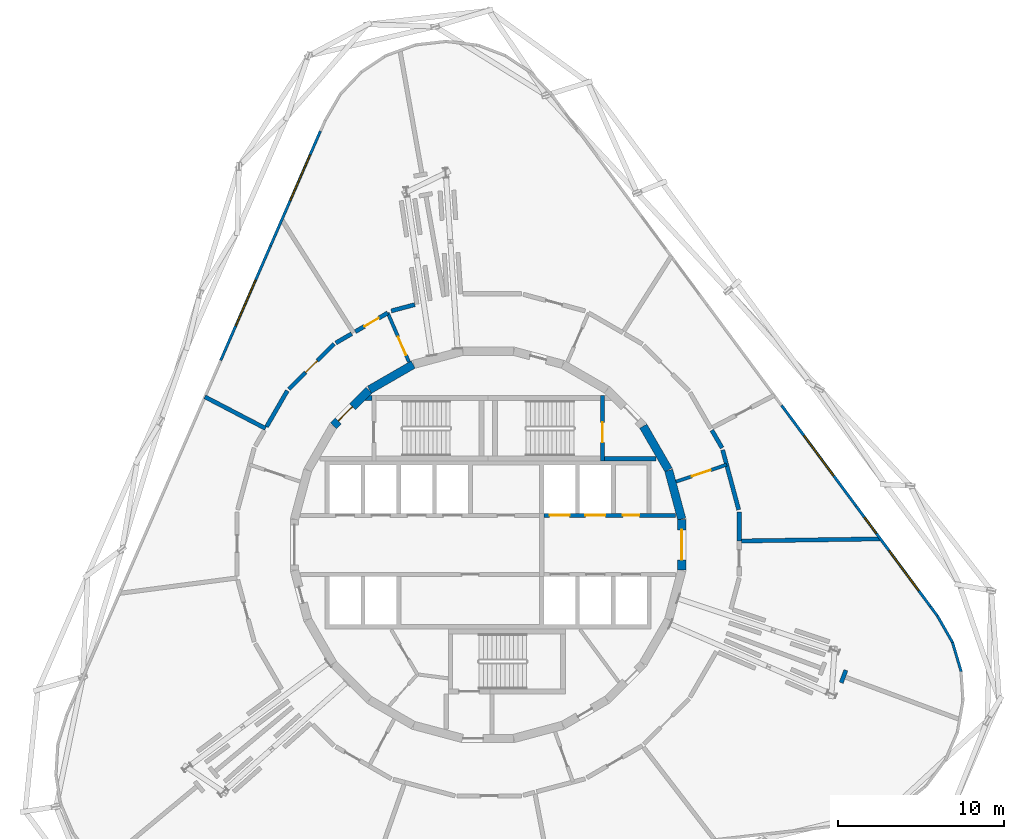
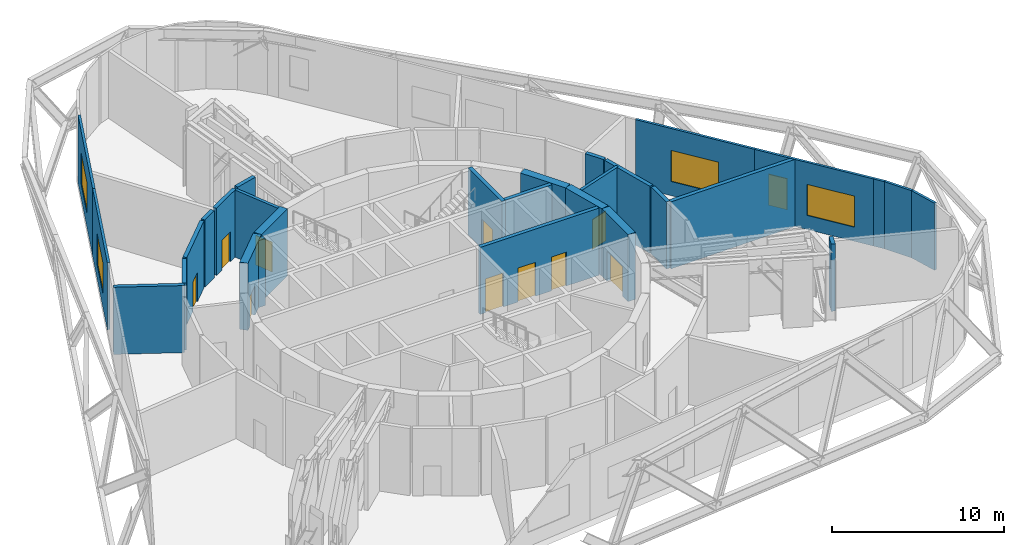
# One storey, part 8 of 11: 29 walls, 10 doors, 5 windows, 15 openings.
"""IFC4 building model written with IfcOpenShell, lengths in metres."""

from ifc_helpers import new_model, si_unit, direction, frame, frame_2d, origin, place, context, subcontext, project, spatial, polyline, rectangle, outline, extrude, material, layer, layer_set, type_object, element, fill, save


model = new_model("IFC4")

# Units and contexts
model_context = context("Model", 3, precision=1e-05, world=origin(), true_north=direction((0.0, 1.0)))
body_context = subcontext(model_context, "Body", "Model", "MODEL_VIEW")
ifc_project = project(units=[si_unit("LENGTHUNIT", "METRE"), si_unit("AREAUNIT", "SQUARE_METRE"), si_unit("VOLUMEUNIT", "CUBIC_METRE"), si_unit("PLANEANGLEUNIT", "RADIAN"), si_unit("MASSUNIT", "GRAM", prefix="KILO")], contexts=[model_context])

# Site, building, storey
site_placement = place(None, origin())
site = spatial("IfcSite", under=ifc_project, at=site_placement, CompositionType="ELEMENT")
building_placement = place(site_placement, origin())
building = spatial("IfcBuilding", under=site, at=building_placement, Name="Spindle Arch Residences", CompositionType="ELEMENT")
storey_placement = place(building_placement, frame((0.0, 0.0, 108.199951171875)))
storey = spatial("IfcBuildingStorey", under=building, at=storey_placement, Name="L26", CompositionType="ELEMENT", Elevation=108.199951171875)

# Wall, opening, door
ifc_material_1 = material(Name="Concrete C50/60", Category="concrete")
ifc_layer_1 = layer(ifc_material_1, 0.5)
ifc_layer_set_1 = layer_set([ifc_layer_1], Name="Core outline wall 500")
wall_type_1 = type_object("IfcWallType", Name="Core outline wall 500", PredefinedType="SHEAR", material=ifc_layer_set_1)
wall_1_placement = place(storey_placement, frame((11.647216796875, -1.516357421875, 0.0), z_axis=(0.0, 0.0, 1.0), x_axis=(0.0, 1.0, 0.0)))
wall_1 = element("IfcWall", 1, at=wall_1_placement, inside=storey, type_object=wall_type_1, Name="Core outline wall 6", PredefinedType="SHEAR", context=body_context, shape_type="SweptSolid", body=[
    extrude(rectangle(XDim=3.03271484375, YDim=0.5, at=frame_2d((1.516357421875, 0.0))), origin(), (0.0, 0.0, 1.0), 4.75),
])
opening_1_placement = place(wall_1_placement, frame((0.6162109375, 0.0, 0.0)))
opening_1 = element("IfcOpeningElement", 2, at=opening_1_placement, cuts=wall_1, Name="Opening L26-FE01", PredefinedType="OPENING", context=body_context, shape_type="SweptSolid", body=[
    extrude(rectangle(XDim=1.800048828125, YDim=2.10009765625, at=frame_2d((0.89990234375, 1.050048828125))), frame((0.0, 0.260009765625, 0.0), z_axis=(0.0, -1.0, 0.0), x_axis=(1.0, 0.0, 0.0)), (0.0, 0.0, 1.0), 0.52001953125),
])
ifc_material_2 = material(Name="Steel, fire-resisting door", Category="steel")
door_type_1 = type_object("IfcDoorType", Name="Fire-lift lobby door 1800x2100", OperationType="DOUBLE_DOOR_SINGLE_SWING", PredefinedType="DOOR", material=ifc_material_2)
door_1_placement = place(opening_1_placement, origin())
door_1 = element("IfcDoor", 3, at=door_1_placement, inside=storey, type_object=door_type_1, Name="Fire-lift lobby door L26-FE01", OperationType="DOUBLE_DOOR_SINGLE_SWING", OverallHeight=2.10009765625, OverallWidth=1.800048828125, PredefinedType="DOOR", context=body_context, shape_type="SweptSolid", body=[
    extrude(rectangle(XDim=1.800048828125, YDim=2.10009765625, at=frame_2d((0.89990234375, 1.050048828125))), frame((0.0, 0.02490234375, 0.0), z_axis=(0.0, -1.0, 0.0), x_axis=(1.0, 0.0, 0.0)), (0.0, 0.0, 1.0), 0.050048828125),
])
fill(opening_1, door_1)

# Walls
for number, where, z_axis, x_axis, name in (
    (4, (11.642822265625, 1.5498046875, 0.0), (0.0, 0.0, 1.0), (-0.258734743916, 0.965948410781, 0.0), "Core outline wall 7"),
    (5, (10.84521484375, 4.510498046875, 0.0), (0.0, 0.0, 1.0), (-0.500087131594, 0.865975092491, 0.0), "Core outline wall 8"),
    (6, (-4.510498046875, 10.84521484375, 0.0), (0.0, 0.0, 1.0), (-0.865975092491, -0.500087131594, 0.0), "Core outline wall 14"),
):
    element("IfcWall", number, at=place(storey_placement, frame(where, z_axis=z_axis, x_axis=x_axis)), inside=storey, type_object=wall_type_1, Name=name, PredefinedType="SHEAR", context=body_context, shape_type="SweptSolid", body=[
        extrude(rectangle(XDim=3.03271484375, YDim=0.5, at=frame_2d((1.516357421875, 0.0))), origin(), (0.0, 0.0, 1.0), 4.75),
    ])

# Wall, opening, door
wall_2_placement = place(storey_placement, frame((-7.163818359375, 9.30810546875, 0.0), z_axis=(0.0, 0.0, 1.0), x_axis=(-0.707106781187, -0.707106781187, 0.0)))
wall_2 = element("IfcWall", 7, at=wall_2_placement, inside=storey, type_object=wall_type_1, Name="Core outline wall 15", PredefinedType="SHEAR", context=body_context, shape_type="SweptSolid", body=[
    extrude(rectangle(XDim=3.032470703125, YDim=0.5, at=frame_2d((1.51611328125, 0.0))), origin(), (0.0, 0.0, 1.0), 4.75),
])
opening_2_placement = place(wall_2_placement, frame((1.416259765625, 0.0, 0.0)))
opening_2 = element("IfcOpeningElement", 8, at=opening_2_placement, cuts=wall_2, Name="Opening L26-AD02", PredefinedType="OPENING", context=body_context, shape_type="SweptSolid", body=[
    extrude(rectangle(XDim=1.199951171875, YDim=2.10009765625, at=frame_2d((0.60009765625, 1.050048828125))), frame((0.0, 0.260009765625, 0.0), z_axis=(0.0, -1.0, 0.0), x_axis=(1.0, 0.0, 0.0)), (0.0, 0.0, 1.0), 0.52001953125),
])
ifc_material_3 = material(Name="Steel, fire-resisting door", Category="steel")
door_type_2 = type_object("IfcDoorType", Name="Stair airlock door 1200x2100", OperationType="SINGLE_SWING_LEFT", PredefinedType="DOOR", material=ifc_material_3)
door_2_placement = place(opening_2_placement, origin())
door_2 = element("IfcDoor", 9, at=door_2_placement, inside=storey, type_object=door_type_2, Name="Stair airlock door L26-AD02", OperationType="SINGLE_SWING_RIGHT", OverallHeight=2.10009765625, OverallWidth=1.199951171875, PredefinedType="DOOR", context=body_context, shape_type="SweptSolid", body=[
    extrude(rectangle(XDim=1.199951171875, YDim=2.10009765625, at=frame_2d((0.60009765625, 1.050048828125))), frame((0.0, 0.02490234375, 0.0), z_axis=(0.0, -1.0, 0.0), x_axis=(1.0, 0.0, 0.0)), (0.0, 0.0, 1.0), 0.050048828125),
])
fill(opening_2, door_2)

# Wall, openings, doors
ifc_material_4 = material(Name="Concrete C40/50", Category="concrete")
ifc_layer_2 = layer(ifc_material_4, 0.25)
ifc_layer_set_2 = layer_set([ifc_layer_2], Name="Fire-lift lobby wall 250")
wall_type_2 = type_object("IfcWallType", Name="Fire-lift lobby wall 250", PredefinedType="SHEAR", material=ifc_layer_set_2)
wall_3_placement = place(storey_placement, frame((3.35009765625, 1.77490234375, 0.0), z_axis=(0.0, 0.0, 1.0), x_axis=(1.0, 0.0, 0.0)))
wall_3 = element("IfcWall", 10, at=wall_3_placement, inside=storey, type_object=wall_type_2, Name="Lift shaft front wall NE", PredefinedType="SHEAR", context=body_context, shape_type="SweptSolid", body=[
    extrude(rectangle(XDim=7.929931640625, YDim=0.25, at=frame_2d((3.96484375, 0.0))), origin(), (0.0, 0.0, 1.0), 4.75),
])
opening_3_placement = place(wall_3_placement, frame((0.35009765625, 0.0, 0.0)))
opening_3 = element("IfcOpeningElement", 11, at=opening_3_placement, cuts=wall_3, Name="Opening L26-SLD01", PredefinedType="OPENING", context=body_context, shape_type="SweptSolid", body=[
    extrude(rectangle(XDim=1.199951171875, YDim=2.39990234375, at=frame_2d((0.60009765625, 1.199951171875))), frame((0.0, 0.135009765625, 0.0), z_axis=(0.0, -1.0, 0.0), x_axis=(1.0, 0.0, 0.0)), (0.0, 0.0, 1.0), 0.27001953125),
])
opening_4_placement = place(wall_3_placement, frame((2.5, 0.0, 0.0)))
opening_4 = element("IfcOpeningElement", 12, at=opening_4_placement, cuts=wall_3, Name="Opening L26-SLD02", PredefinedType="OPENING", context=body_context, shape_type="SweptSolid", body=[
    extrude(rectangle(XDim=1.199951171875, YDim=2.39990234375, at=frame_2d((0.60009765625, 1.199951171875))), frame((0.0, 0.135009765625, 0.0), z_axis=(0.0, -1.0, 0.0), x_axis=(1.0, 0.0, 0.0)), (0.0, 0.0, 1.0), 0.27001953125),
])
opening_5_placement = place(wall_3_placement, frame((4.75, 0.0, 0.0)))
opening_5 = element("IfcOpeningElement", 13, at=opening_5_placement, cuts=wall_3, Name="Opening L26-PD02", PredefinedType="OPENING", context=body_context, shape_type="SweptSolid", body=[
    extrude(rectangle(XDim=1.0, YDim=2.39990234375, at=frame_2d((0.5, 1.199951171875))), frame((0.0, 0.135009765625, 0.0), z_axis=(0.0, -1.0, 0.0), x_axis=(1.0, 0.0, 0.0)), (0.0, 0.0, 1.0), 0.27001953125),
])
ifc_material_5 = material(Name="Steel, fire-resisting door", Category="steel")
door_type_3 = type_object("IfcDoorType", Name="Plant room door 1000x2400", OperationType="SINGLE_SWING_LEFT", PredefinedType="DOOR", material=ifc_material_5)
door_3_placement = place(opening_5_placement, origin())
door_3 = element("IfcDoor", 14, at=door_3_placement, inside=storey, type_object=door_type_3, Name="Plant room door L26-PD02", OperationType="SINGLE_SWING_LEFT", OverallHeight=2.39990234375, OverallWidth=1.0, PredefinedType="DOOR", context=body_context, shape_type="SweptSolid", body=[
    extrude(rectangle(XDim=1.0, YDim=2.39990234375, at=frame_2d((0.5, 1.199951171875))), frame((0.0, 0.02490234375, 0.0), z_axis=(0.0, -1.0, 0.0), x_axis=(1.0, 0.0, 0.0)), (0.0, 0.0, 1.0), 0.050048828125),
])
fill(opening_5, door_3)
ifc_material_6 = material(Name="Steel, fire-resisting landing door", Category="steel")
door_type_4 = type_object("IfcDoorType", Name="Service lift landing door 1200x2400", OperationType="DOUBLE_DOOR_SLIDING", PredefinedType="DOOR", material=ifc_material_6)
door_4_placement = place(opening_3_placement, origin())
door_4 = element("IfcDoor", 15, at=door_4_placement, inside=storey, type_object=door_type_4, Name="Service lift landing door L26-SLD01", OperationType="DOUBLE_DOOR_SLIDING", OverallHeight=2.39990234375, OverallWidth=1.199951171875, PredefinedType="DOOR", context=body_context, shape_type="SweptSolid", body=[
    extrude(rectangle(XDim=1.199951171875, YDim=2.39990234375, at=frame_2d((0.60009765625, 1.199951171875))), frame((0.0, 0.02490234375, 0.0), z_axis=(0.0, -1.0, 0.0), x_axis=(1.0, 0.0, 0.0)), (0.0, 0.0, 1.0), 0.050048828125),
])
fill(opening_3, door_4)
door_5_placement = place(opening_4_placement, origin())
door_5 = element("IfcDoor", 16, at=door_5_placement, inside=storey, type_object=door_type_4, Name="Service lift landing door L26-SLD02", OperationType="DOUBLE_DOOR_SLIDING", OverallHeight=2.39990234375, OverallWidth=1.199951171875, PredefinedType="DOOR", context=body_context, shape_type="SweptSolid", body=[
    extrude(rectangle(XDim=1.199951171875, YDim=2.39990234375, at=frame_2d((0.60009765625, 1.199951171875))), frame((0.0, 0.02490234375, 0.0), z_axis=(0.0, -1.0, 0.0), x_axis=(1.0, 0.0, 0.0)), (0.0, 0.0, 1.0), 0.050048828125),
])
fill(opening_4, door_5)

# Walls
ifc_material_7 = material(Name="Non-combustible mineral wool insulated aluminium faced external wall (K0)", Category="aluminium")
ifc_layer_3 = layer(ifc_material_7, 0.159912109375)
ifc_layer_set_3 = layer_set([ifc_layer_3], Name="Insulated external wall panel 160")
wall_type_3 = type_object("IfcWallType", Name="Insulated external wall panel 160", PredefinedType="STANDARD", material=ifc_layer_set_3)
wall_4_placement = place(storey_placement, frame((28.452392578125, -7.62939453125, 0.0), z_axis=(0.0, 0.0, 1.0), x_axis=(-0.283939871405, 0.958842087847, 0.0)))
element("IfcWall", 17, at=wall_4_placement, inside=storey, type_object=wall_type_3, Name="Plant wall L26 bay 5.2", PredefinedType="STANDARD", context=body_context, shape_type="SweptSolid", body=[
    extrude(rectangle(XDim=1.847900390625, YDim=0.159912109375, at=frame_2d((0.923828125, 0.0))), origin(), (0.0, 0.0, 1.0), 4.75),
])
wall_5_placement = place(storey_placement, frame((27.931396484375, -5.8662109375, 0.0), z_axis=(0.0, 0.0, 1.0), x_axis=(-0.497534070267, 0.867444435641, 0.0)))
element("IfcWall", 18, at=wall_5_placement, inside=storey, type_object=wall_type_3, Name="Plant wall L26 bay 5.3", PredefinedType="STANDARD", context=body_context, shape_type="SweptSolid", body=[
    extrude(rectangle(XDim=1.845947265625, YDim=0.159912109375, at=frame_2d((0.9228515625, 0.0))), origin(), (0.0, 0.0, 1.0), 4.75),
])
wall_6_placement = place(storey_placement, frame((27.015625, -4.268798828125, 0.0), z_axis=(0.0, 0.0, 1.0), x_axis=(-0.594771293471, 0.803894961088, 0.0)))
element("IfcWall", 19, at=wall_6_placement, inside=storey, type_object=wall_type_3, Name="Plant wall L26 bay 5.4", PredefinedType="STANDARD", context=body_context, shape_type="SweptSolid", body=[
    extrude(rectangle(XDim=0.703857421875, YDim=0.159912109375, at=frame_2d((0.35205078125, 0.0))), origin(), (0.0, 0.0, 1.0), 4.75),
])

# Wall, openings, windows
wall_7_placement = place(storey_placement, frame((26.596923828125, -3.702880859375, 0.0), z_axis=(0.0, 0.0, 1.0), x_axis=(-0.594833773541, 0.803848730704, 0.0)))
wall_7 = element("IfcWall", 20, at=wall_7_placement, inside=storey, type_object=wall_type_3, Name="Plant wall L26 bay 6", PredefinedType="STANDARD", context=body_context, shape_type="SweptSolid", body=[
    extrude(rectangle(XDim=7.518798828125, YDim=0.159912109375, at=frame_2d((3.75927734375, 0.0))), origin(), (0.0, 0.0, 1.0), 4.75),
])
opening_6_placement = place(wall_7_placement, frame((1.177978515625, 0.0, 1.0)))
opening_6 = element("IfcOpeningElement", 21, at=opening_6_placement, cuts=wall_7, Name="Opening LW1", PredefinedType="OPENING", context=body_context, shape_type="SweptSolid", body=[
    extrude(rectangle(XDim=3.0, YDim=2.199951171875, at=frame_2d((1.5, 1.10009765625))), frame((0.0, 0.08984375, 0.0), z_axis=(0.0, -1.0, 0.0), x_axis=(1.0, 0.0, 0.0)), (0.0, 0.0, 1.0), 0.179931640625),
])
opening_7_placement = place(wall_7_placement, frame((5.46240234375, 0.0, 1.0)))
opening_7 = element("IfcOpeningElement", 22, at=opening_7_placement, cuts=wall_7, Name="Opening LW4", PredefinedType="OPENING", context=body_context, shape_type="SweptSolid", body=[
    extrude(rectangle(XDim=1.199951171875, YDim=2.199951171875, at=frame_2d((0.60009765625, 1.10009765625))), frame((0.0, 0.08984375, 0.0), z_axis=(0.0, -1.0, 0.0), x_axis=(1.0, 0.0, 0.0)), (0.0, 0.0, 1.0), 0.179931640625),
])
ifc_material_8 = material(Name="Bronze anodised aluminium fixed louvre", Category="aluminium")
window_type_1 = type_object("IfcWindowType", Name="Plant louvre opening 1200x2200", PartitioningType="SINGLE_PANEL", PredefinedType="WINDOW", material=ifc_material_8)
window_1_placement = place(opening_7_placement, origin())
window_1 = element("IfcWindow", 23, at=window_1_placement, inside=storey, type_object=window_type_1, Name="Louvre opening L26 bay 6.2", OverallHeight=2.199951171875, OverallWidth=1.199951171875, PartitioningType="SINGLE_PANEL", PredefinedType="WINDOW", context=body_context, shape_type="SweptSolid", body=[
    extrude(rectangle(XDim=1.199951171875, YDim=2.199951171875, at=frame_2d((0.60009765625, 1.10009765625))), frame((0.0, 0.030029296875, 0.0), z_axis=(0.0, -1.0, 0.0), x_axis=(1.0, 0.0, 0.0)), (0.0, 0.0, 1.0), 0.06005859375),
])
fill(opening_7, window_1)
ifc_material_9 = material(Name="Bronze anodised aluminium fixed louvre", Category="aluminium")
window_type_2 = type_object("IfcWindowType", Name="Plant louvre opening 3000x2200", PartitioningType="SINGLE_PANEL", PredefinedType="WINDOW", material=ifc_material_9)
window_2_placement = place(opening_6_placement, origin())
window_2 = element("IfcWindow", 24, at=window_2_placement, inside=storey, type_object=window_type_2, Name="Louvre opening L26 bay 6.1", OverallHeight=2.199951171875, OverallWidth=3.0, PartitioningType="SINGLE_PANEL", PredefinedType="WINDOW", context=body_context, shape_type="SweptSolid", body=[
    extrude(rectangle(XDim=3.0, YDim=2.199951171875, at=frame_2d((1.5, 1.10009765625))), frame((0.0, 0.030029296875, 0.0), z_axis=(0.0, -1.0, 0.0), x_axis=(1.0, 0.0, 0.0)), (0.0, 0.0, 1.0), 0.06005859375),
])
fill(opening_6, window_2)

# Wall, opening, window
wall_8_placement = place(storey_placement, frame((22.12451171875, 2.341064453125, 0.0), z_axis=(0.0, 0.0, 1.0), x_axis=(-0.594818247684, 0.80386021933, 0.0)))
wall_8 = element("IfcWall", 25, at=wall_8_placement, inside=storey, type_object=wall_type_3, Name="Plant wall L26 bay 7", PredefinedType="STANDARD", context=body_context, shape_type="SweptSolid", body=[
    extrude(rectangle(XDim=7.51904296875, YDim=0.159912109375, at=frame_2d((3.759521484375, 0.0))), origin(), (0.0, 0.0, 1.0), 4.75),
])
opening_8_placement = place(wall_8_placement, frame((2.259521484375, 0.0, 1.0)))
opening_8 = element("IfcOpeningElement", 26, at=opening_8_placement, cuts=wall_8, Name="Opening LW1", PredefinedType="OPENING", context=body_context, shape_type="SweptSolid", body=[
    extrude(rectangle(XDim=3.0, YDim=2.199951171875, at=frame_2d((1.5, 1.10009765625))), frame((0.0, 0.08984375, 0.0), z_axis=(0.0, -1.0, 0.0), x_axis=(1.0, 0.0, 0.0)), (0.0, 0.0, 1.0), 0.179931640625),
])
window_3_placement = place(opening_8_placement, origin())
window_3 = element("IfcWindow", 27, at=window_3_placement, inside=storey, type_object=window_type_2, Name="Louvre opening L26 bay 7.1", OverallHeight=2.199951171875, OverallWidth=3.0, PartitioningType="SINGLE_PANEL", PredefinedType="WINDOW", context=body_context, shape_type="SweptSolid", body=[
    extrude(rectangle(XDim=3.0, YDim=2.199951171875, at=frame_2d((1.5, 1.10009765625))), frame((0.0, 0.030029296875, 0.0), z_axis=(0.0, -1.0, 0.0), x_axis=(1.0, 0.0, 0.0)), (0.0, 0.0, 1.0), 0.06005859375),
])
fill(opening_8, window_3)

wall_9_placement = place(storey_placement, frame((-10.091552734375, 24.885009765625, 0.0), z_axis=(0.0, 0.0, 1.0), x_axis=(-0.398765291981, -0.917053020229, 0.0)))
wall_9 = element("IfcWall", 28, at=wall_9_placement, inside=storey, type_object=wall_type_3, Name="Plant wall L26 bay 14", PredefinedType="STANDARD", context=body_context, shape_type="SweptSolid", body=[
    extrude(rectangle(XDim=7.51904296875, YDim=0.159912109375, at=frame_2d((3.759521484375, 0.0))), origin(), (0.0, 0.0, 1.0), 4.75),
])
opening_9_placement = place(wall_9_placement, frame((1.55810546875, 0.0, 1.0)))
opening_9 = element("IfcOpeningElement", 29, at=opening_9_placement, cuts=wall_9, Name="Opening LW1", PredefinedType="OPENING", context=body_context, shape_type="SweptSolid", body=[
    extrude(rectangle(XDim=3.0, YDim=2.199951171875, at=frame_2d((1.5, 1.10009765625))), frame((0.0, 0.08984375, 0.0), z_axis=(0.0, -1.0, 0.0), x_axis=(1.0, 0.0, 0.0)), (0.0, 0.0, 1.0), 0.179931640625),
])
window_4_placement = place(opening_9_placement, origin())
window_4 = element("IfcWindow", 30, at=window_4_placement, inside=storey, type_object=window_type_2, Name="Louvre opening L26 bay 14.1", OverallHeight=2.199951171875, OverallWidth=3.0, PartitioningType="SINGLE_PANEL", PredefinedType="WINDOW", context=body_context, shape_type="SweptSolid", body=[
    extrude(rectangle(XDim=3.0, YDim=2.199951171875, at=frame_2d((1.5, 1.10009765625))), frame((0.0, 0.030029296875, 0.0), z_axis=(0.0, -1.0, 0.0), x_axis=(1.0, 0.0, 0.0)), (0.0, 0.0, 1.0), 0.06005859375),
])
fill(opening_9, window_4)

wall_10_placement = place(storey_placement, frame((-13.08984375, 17.98974609375, 0.0), z_axis=(0.0, 0.0, 1.0), x_axis=(-0.398749858314, -0.917059731149, 0.0)))
wall_10 = element("IfcWall", 31, at=wall_10_placement, inside=storey, type_object=wall_type_3, Name="Plant wall L26 bay 15", PredefinedType="STANDARD", context=body_context, shape_type="SweptSolid", body=[
    extrude(rectangle(XDim=7.5185546875, YDim=0.159912109375, at=frame_2d((3.75927734375, 0.0))), origin(), (0.0, 0.0, 1.0), 4.75),
])
opening_10_placement = place(wall_10_placement, frame((2.259521484375, 0.0, 1.0)))
opening_10 = element("IfcOpeningElement", 32, at=opening_10_placement, cuts=wall_10, Name="Opening LW1", PredefinedType="OPENING", context=body_context, shape_type="SweptSolid", body=[
    extrude(rectangle(XDim=3.0, YDim=2.199951171875, at=frame_2d((1.5, 1.10009765625))), frame((0.0, 0.08984375, 0.0), z_axis=(0.0, -1.0, 0.0), x_axis=(1.0, 0.0, 0.0)), (0.0, 0.0, 1.0), 0.179931640625),
])
window_5_placement = place(opening_10_placement, origin())
window_5 = element("IfcWindow", 33, at=window_5_placement, inside=storey, type_object=window_type_2, Name="Louvre opening L26 bay 15.1", OverallHeight=2.199951171875, OverallWidth=3.0, PartitioningType="SINGLE_PANEL", PredefinedType="WINDOW", context=body_context, shape_type="SweptSolid", body=[
    extrude(rectangle(XDim=3.0, YDim=2.199951171875, at=frame_2d((1.5, 1.10009765625))), frame((0.0, 0.030029296875, 0.0), z_axis=(0.0, -1.0, 0.0), x_axis=(1.0, 0.0, 0.0)), (0.0, 0.0, 1.0), 0.06005859375),
])
fill(opening_10, window_5)

# Wall, opening, door
ifc_material_10 = material(Name="Concrete C25/30 wall", Category="concrete")
ifc_layer_4 = layer(ifc_material_10, 0.25)
ifc_layer_set_4 = layer_set([ifc_layer_4], Name="Partition EI 120 250 plant")
wall_type_4 = type_object("IfcWallType", Name="Partition EI 120 250 plant", PredefinedType="PARTITIONING", material=ifc_layer_set_4)
wall_11_placement = place(storey_placement, frame((-7.99169921875, 12.822509765625, 0.0), z_axis=(0.0, 0.0, 1.0), x_axis=(0.865900522319, 0.500216238688, 0.0)))
wall_11 = element("IfcWall", 34, at=wall_11_placement, inside=storey, type_object=wall_type_4, Name="L26-W025", PredefinedType="PARTITIONING", context=body_context, shape_type="SweptSolid", body=[
    extrude(rectangle(XDim=2.25390625, YDim=0.25, at=frame_2d((1.126953125, 0.0))), origin(), (0.0, 0.0, 1.0), 4.75),
])
opening_11_placement = place(wall_11_placement, frame((0.626953125, 0.0, 0.0)))
opening_11 = element("IfcOpeningElement", 35, at=opening_11_placement, cuts=wall_11, Name="Opening L26-D11", PredefinedType="OPENING", context=body_context, shape_type="SweptSolid", body=[
    extrude(rectangle(XDim=1.0, YDim=2.10009765625, at=frame_2d((0.5, 1.050048828125))), frame((0.0, 0.135009765625, 0.0), z_axis=(0.0, -1.0, 0.0), x_axis=(1.0, 0.0, 0.0)), (0.0, 0.0, 1.0), 0.27001953125),
])
ifc_material_11 = material(Name="Steel door leaf, painted", Category="steel")
door_type_5 = type_object("IfcDoorType", Name="Door 1000x2100 EI 60", OperationType="SINGLE_SWING_LEFT", PredefinedType="DOOR", material=ifc_material_11)
door_6_placement = place(opening_11_placement, origin())
door_6 = element("IfcDoor", 36, at=door_6_placement, inside=storey, type_object=door_type_5, Name="L26-D11", OperationType="SINGLE_SWING_LEFT", OverallHeight=2.10009765625, OverallWidth=1.0, PredefinedType="DOOR", context=body_context, shape_type="SweptSolid", body=[
    extrude(rectangle(XDim=1.0, YDim=2.10009765625, at=frame_2d((0.5, 1.050048828125))), frame((0.0, 0.02490234375, 0.0), z_axis=(0.0, -1.0, 0.0), x_axis=(1.0, 0.0, 0.0)), (0.0, 0.0, 1.0), 0.050048828125),
])
fill(opening_11, door_6)

# Walls
wall_12_placement = place(storey_placement, frame((-4.410888671875, 14.44775390625, 0.0), z_axis=(0.0, 0.0, 1.0), x_axis=(-0.966364499744, -0.257176308464, 0.0)))
element("IfcWall", 37, at=wall_12_placement, inside=storey, type_object=wall_type_4, Name="L26-W034", PredefinedType="PARTITIONING", context=body_context, shape_type="SweptSolid", body=[
    extrude(rectangle(XDim=1.468505859375, YDim=0.25, at=frame_2d((0.734375, 0.0))), origin(), (0.0, 0.0, 1.0), 4.75),
])
wall_13_placement = place(storey_placement, frame((14.070068359375, 5.830078125, 0.0), z_axis=(0.0, 0.0, 1.0), x_axis=(-0.502547897079, 0.864549368828, 0.0)))
element("IfcWall", 38, at=wall_13_placement, inside=storey, type_object=wall_type_4, Name="L26-W061", PredefinedType="PARTITIONING", context=body_context, shape_type="SweptSolid", body=[
    extrude(rectangle(XDim=1.22802734375, YDim=0.25, at=frame_2d((0.614013671875, 0.0))), origin(), (0.0, 0.0, 1.0), 4.75),
])
wall_14_placement = place(storey_placement, frame((15.10009765625, 0.22998046875, 0.0), z_axis=(0.0, 0.0, 1.0), x_axis=(0.0, 1.0, 0.0)))
element("IfcWall", 39, at=wall_14_placement, inside=storey, type_object=wall_type_4, Name="L26-W067", PredefinedType="PARTITIONING", context=body_context, shape_type="SweptSolid", body=[
    extrude(rectangle(XDim=1.760009765625, YDim=0.25, at=frame_2d((0.8798828125, 0.0))), origin(), (0.0, 0.0, 1.0), 4.75),
])
wall_15_placement = place(storey_placement, frame((15.22509765625, 0.23193359375, 0.0), z_axis=(0.0, 0.0, 1.0), x_axis=(0.99988540254, 0.015138751181, 0.0)))
element("IfcWall", 40, at=wall_15_placement, inside=storey, type_object=wall_type_4, Name="L26-W068", PredefinedType="PARTITIONING", context=body_context, shape_type="SweptSolid", body=[
    extrude(rectangle(XDim=8.385986328125, YDim=0.25, at=frame_2d((4.19287109375, 0.0))), origin(), (0.0, 0.0, 1.0), 4.75),
])
wall_16_placement = place(storey_placement, frame((15.067626953125, 2.11083984375, 0.0), z_axis=(0.0, 0.0, 1.0), x_axis=(-0.259106201401, 0.965848837239, 0.0)))
element("IfcWall", 41, at=wall_16_placement, inside=storey, type_object=wall_type_4, Name="L26-W069", PredefinedType="PARTITIONING", context=body_context, shape_type="SweptSolid", body=[
    extrude(rectangle(XDim=3.7255859375, YDim=0.25, at=frame_2d((1.86279296875, 0.0))), origin(), (0.0, 0.0, 1.0), 4.75),
])
wall_17_placement = place(storey_placement, frame((21.51318359375, -7.54150390625, 0.0), z_axis=(0.0, 0.0, 1.0), x_axis=(-0.346906900023, -0.937899569632, 0.0)))
element("IfcWall", 42, at=wall_17_placement, inside=storey, type_object=wall_type_4, Name="L26-W083", PredefinedType="PARTITIONING", context=body_context, shape_type="SweptSolid", body=[
    extrude(rectangle(XDim=0.80029296875, YDim=0.25, at=frame_2d((0.400146484375, 0.0))), origin(), (0.0, 0.0, 1.0), 4.75),
])

# Wall, opening, door
ifc_material_12 = material(Name="Gypsum board partition on steel studs", Category="steel")
ifc_layer_5 = layer(ifc_material_12, 0.199951171875)
ifc_layer_set_5 = layer_set([ifc_layer_5], Name="Partition EI 60 200 amenity")
wall_type_5 = type_object("IfcWallType", Name="Partition EI 60 200 amenity", PredefinedType="PARTITIONING", material=ifc_layer_set_5)
wall_18_placement = place(storey_placement, frame((-6.03955078125, 13.948974609375, 0.0), z_axis=(0.0, 0.0, 1.0), x_axis=(0.396905977672, -0.917859272922, 0.0)))
wall_18 = element("IfcWall", 43, at=wall_18_placement, inside=storey, type_object=wall_type_5, Name="L26-W028", PredefinedType="PARTITIONING", context=body_context, shape_type="SweptSolid", body=[
    extrude(rectangle(XDim=3.223876953125, YDim=0.199951171875, at=frame_2d((1.61181640625, 0.0))), origin(), (0.0, 0.0, 1.0), 4.75),
])
opening_12_placement = place(wall_18_placement, frame((1.56201171875, 0.0, 0.0)))
opening_12 = element("IfcOpeningElement", 44, at=opening_12_placement, cuts=wall_18, Name="Opening L26-D15", PredefinedType="OPENING", context=body_context, shape_type="SweptSolid", body=[
    extrude(rectangle(XDim=1.199951171875, YDim=2.10009765625, at=frame_2d((0.60009765625, 1.050048828125))), frame((0.0, 0.10986328125, 0.0), z_axis=(0.0, -1.0, 0.0), x_axis=(1.0, 0.0, 0.0)), (0.0, 0.0, 1.0), 0.219970703125),
])
ifc_material_13 = material(Name="Steel door leaf, painted", Category="steel")
door_type_6 = type_object("IfcDoorType", Name="Door 1200x2100 EI 60", OperationType="SINGLE_SWING_LEFT", PredefinedType="DOOR", material=ifc_material_13)
door_7_placement = place(opening_12_placement, origin())
door_7 = element("IfcDoor", 45, at=door_7_placement, inside=storey, type_object=door_type_6, Name="L26-D15", OperationType="SINGLE_SWING_LEFT", OverallHeight=2.10009765625, OverallWidth=1.199951171875, PredefinedType="DOOR", context=body_context, shape_type="SweptSolid", body=[
    extrude(rectangle(XDim=1.199951171875, YDim=2.10009765625, at=frame_2d((0.60009765625, 1.050048828125))), frame((0.0, 0.02490234375, 0.0), z_axis=(0.0, -1.0, 0.0), x_axis=(1.0, 0.0, 0.0)), (0.0, 0.0, 1.0), 0.050048828125),
])
fill(opening_12, door_7)

wall_19_placement = place(storey_placement, frame((14.340087890625, 4.820068359375, 0.0), z_axis=(0.0, 0.0, 1.0), x_axis=(-0.94805712629, -0.318100118345, 0.0)))
wall_19 = element("IfcWall", 46, at=wall_19_placement, inside=storey, type_object=wall_type_5, Name="L26-W063", PredefinedType="PARTITIONING", context=body_context, shape_type="SweptSolid", body=[
    extrude(rectangle(XDim=3.20654296875, YDim=0.199951171875, at=frame_2d((1.603271484375, 0.0))), origin(), (0.0, 0.0, 1.0), 4.75),
])
opening_13_placement = place(wall_19_placement, frame((1.00341796875, 0.0, 0.0)))
opening_13 = element("IfcOpeningElement", 47, at=opening_13_placement, cuts=wall_19, Name="Opening L26-D18", PredefinedType="OPENING", context=body_context, shape_type="SweptSolid", body=[
    extrude(rectangle(XDim=1.199951171875, YDim=2.10009765625, at=frame_2d((0.60009765625, 1.050048828125))), frame((0.0, 0.10986328125, 0.0), z_axis=(0.0, -1.0, 0.0), x_axis=(1.0, 0.0, 0.0)), (0.0, 0.0, 1.0), 0.219970703125),
])
door_8_placement = place(opening_13_placement, origin())
door_8 = element("IfcDoor", 48, at=door_8_placement, inside=storey, type_object=door_type_6, Name="L26-D18", OperationType="SINGLE_SWING_LEFT", OverallHeight=2.10009765625, OverallWidth=1.199951171875, PredefinedType="DOOR", context=body_context, shape_type="SweptSolid", body=[
    extrude(rectangle(XDim=1.199951171875, YDim=2.10009765625, at=frame_2d((0.60009765625, 1.050048828125))), frame((0.0, 0.02490234375, 0.0), z_axis=(0.0, -1.0, 0.0), x_axis=(1.0, 0.0, 0.0)), (0.0, 0.0, 1.0), 0.050048828125),
])
fill(opening_13, door_8)

# Walls
ifc_material_14 = material(Name="Concrete C25/30 wall", Category="concrete")
ifc_layer_6 = layer(ifc_material_14, 0.25)
ifc_layer_set_6 = layer_set([ifc_layer_6], Name="Partition REI 120 250 refuge")
wall_type_6 = type_object("IfcWallType", Name="Partition REI 120 250 refuge", PredefinedType="PARTITIONING", material=ifc_layer_set_6)
wall_20_placement = place(storey_placement, frame((-13.389892578125, 7.0, 0.0), z_axis=(0.0, 0.0, 1.0), x_axis=(-0.886668392091, 0.462405841731, 0.0)))
element("IfcWall", 49, at=wall_20_placement, inside=storey, type_object=wall_type_6, Name="L26-W012", PredefinedType="PARTITIONING", context=body_context, shape_type="SweptSolid", body=[
    extrude(rectangle(XDim=4.115478515625, YDim=0.25, at=frame_2d((2.0576171875, 0.0))), origin(), (0.0, 0.0, 1.0), 4.75),
])
wall_21_placement = place(storey_placement, frame((-12.080078125, 9.27001953125, 0.0), z_axis=(0.0, 0.0, 1.0), x_axis=(-0.499821239653, -0.866128586522, 0.0)))
element("IfcWall", 50, at=wall_21_placement, inside=storey, type_object=wall_type_6, Name="L26-W016", PredefinedType="PARTITIONING", context=body_context, shape_type="SweptSolid", body=[
    extrude(rectangle(XDim=2.49609375, YDim=0.25, at=frame_2d((1.248046875, 0.0))), origin(), (0.0, 0.0, 1.0), 4.75),
])

# Wall, opening, door
wall_22_placement = place(storey_placement, frame((-9.27001953125, 12.080078125, 0.0), z_axis=(0.0, 0.0, 1.0), x_axis=(-0.707106781187, -0.707106781187, 0.0)))
wall_22 = element("IfcWall", 51, at=wall_22_placement, inside=storey, type_object=wall_type_6, Name="L26-W022", PredefinedType="PARTITIONING", context=body_context, shape_type="SweptSolid", body=[
    extrude(rectangle(XDim=3.84912109375, YDim=0.25, at=frame_2d((1.924560546875, 0.0))), origin(), (0.0, 0.0, 1.0), 4.75),
])
opening_14_placement = place(wall_22_placement, frame((1.424560546875, 0.0, 0.0)))
opening_14 = element("IfcOpeningElement", 52, at=opening_14_placement, cuts=wall_22, Name="Opening L26-D10", PredefinedType="OPENING", context=body_context, shape_type="SweptSolid", body=[
    extrude(rectangle(XDim=1.0, YDim=2.10009765625, at=frame_2d((0.5, 1.050048828125))), frame((0.0, 0.135009765625, 0.0), z_axis=(0.0, -1.0, 0.0), x_axis=(1.0, 0.0, 0.0)), (0.0, 0.0, 1.0), 0.27001953125),
])
door_9_placement = place(opening_14_placement, origin())
door_9 = element("IfcDoor", 53, at=door_9_placement, inside=storey, type_object=door_type_5, Name="L26-D10", OperationType="SINGLE_SWING_LEFT", OverallHeight=2.10009765625, OverallWidth=1.0, PredefinedType="DOOR", context=body_context, shape_type="SweptSolid", body=[
    extrude(rectangle(XDim=1.0, YDim=2.10009765625, at=frame_2d((0.5, 1.050048828125))), frame((0.0, 0.02490234375, 0.0), z_axis=(0.0, -1.0, 0.0), x_axis=(1.0, 0.0, 0.0)), (0.0, 0.0, 1.0), 0.050048828125),
])
fill(opening_14, door_9)

# Walls
wall_23_placement = place(storey_placement, frame((-8.2080078125, 12.697265625, 0.0), z_axis=(0.0, 0.0, 1.0), x_axis=(-0.86455637663, -0.502535841138, 0.0)))
element("IfcWall", 54, at=wall_23_placement, inside=storey, type_object=wall_type_6, Name="L26-W024", PredefinedType="PARTITIONING", context=body_context, shape_type="SweptSolid", body=[
    extrude(rectangle(XDim=1.103271484375, YDim=0.25, at=frame_2d((0.5517578125, 0.0))), origin(), (0.0, 0.0, 1.0), 4.75),
])
ifc_material_15 = material(Name="Concrete C40/50", Category="concrete")
ifc_layer_7 = layer(ifc_material_15, 0.25)
ifc_layer_set_7 = layer_set([ifc_layer_7], Name="Stair airlock wall 250")
wall_type_7 = type_object("IfcWallType", Name="Stair airlock wall 250", PredefinedType="SHEAR", material=ifc_layer_set_7)
wall_24_placement = place(storey_placement, frame((7.0, 5.175048828125, 0.0), z_axis=(0.0, 0.0, 1.0), x_axis=(1.0, 0.0, 0.0)))
element("IfcWall", 55, at=wall_24_placement, inside=storey, type_object=wall_type_7, Name="Stair ST-1 airlock wall S", PredefinedType="SHEAR", context=body_context, shape_type="SweptSolid", body=[
    extrude(rectangle(XDim=3.10009765625, YDim=0.25, at=frame_2d((1.550048828125, 0.0))), origin(), (0.0, 0.0, 1.0), 4.75),
])
ifc_material_16 = material(Name="Concrete C40/50", Category="concrete")
wall_type_8 = type_object("IfcWallType", Name="Stair airlock wall profile", PredefinedType="SHEAR", material=ifc_material_16)
wall_25_placement = place(storey_placement, origin())
element("IfcWall", 56, at=wall_25_placement, inside=storey, type_object=wall_type_8, Name="Stair ST-2 airlock wall N", PredefinedType="SHEAR", context=body_context, shape_type="SweptSolid", body=[
    extrude(outline(polyline([(-7.148193359375, 8.969970703125), (-7.0, 8.969970703125), (-7.0, 8.669921875), (-7.4482421875, 8.669921875), (-7.148193359375, 8.969970703125)])), origin(), (0.0, 0.0, 1.0), 4.75),
])

# Wall, opening, door
ifc_material_17 = material(Name="Concrete C50/60", Category="concrete")
ifc_layer_8 = layer(ifc_material_17, 0.25)
ifc_layer_set_8 = layer_set([ifc_layer_8], Name="Stair enclosure wall 250")
wall_type_9 = type_object("IfcWallType", Name="Stair enclosure wall 250", PredefinedType="SHEAR", material=ifc_layer_set_8)
wall_26_placement = place(storey_placement, frame((6.875, 5.050048828125, 0.0), z_axis=(0.0, 0.0, 1.0), x_axis=(0.0, 1.0, 0.0)))
wall_26 = element("IfcWall", 57, at=wall_26_placement, inside=storey, type_object=wall_type_9, Name="Stair ST-1 door wall", PredefinedType="SHEAR", context=body_context, shape_type="SweptSolid", body=[
    extrude(rectangle(XDim=3.919921875, YDim=0.25, at=frame_2d((1.9599609375, 0.0))), origin(), (0.0, 0.0, 1.0), 4.75),
])
opening_15_placement = place(wall_26_placement, frame((1.110107421875, 0.0, 0.0)))
opening_15 = element("IfcOpeningElement", 58, at=opening_15_placement, cuts=wall_26, Name="Opening L26-SD01", PredefinedType="OPENING", context=body_context, shape_type="SweptSolid", body=[
    extrude(rectangle(XDim=1.199951171875, YDim=2.10009765625, at=frame_2d((0.60009765625, 1.050048828125))), frame((0.0, 0.135009765625, 0.0), z_axis=(0.0, -1.0, 0.0), x_axis=(1.0, 0.0, 0.0)), (0.0, 0.0, 1.0), 0.27001953125),
])
ifc_material_18 = material(Name="Steel, fire-resisting door", Category="steel")
door_type_7 = type_object("IfcDoorType", Name="Stair door 1200x2100", OperationType="SINGLE_SWING_RIGHT", PredefinedType="DOOR", material=ifc_material_18)
door_10_placement = place(opening_15_placement, origin())
door_10 = element("IfcDoor", 59, at=door_10_placement, inside=storey, type_object=door_type_7, Name="Stair door L26-SD01", OperationType="SINGLE_SWING_LEFT", OverallHeight=2.10009765625, OverallWidth=1.199951171875, PredefinedType="DOOR", context=body_context, shape_type="SweptSolid", body=[
    extrude(rectangle(XDim=1.199951171875, YDim=2.10009765625, at=frame_2d((0.60009765625, 1.050048828125))), frame((0.0, 0.02490234375, 0.0), z_axis=(0.0, -1.0, 0.0), x_axis=(1.0, 0.0, 0.0)), (0.0, 0.0, 1.0), 0.050048828125),
])
fill(opening_15, door_10)

save(model, "model.ifc")
